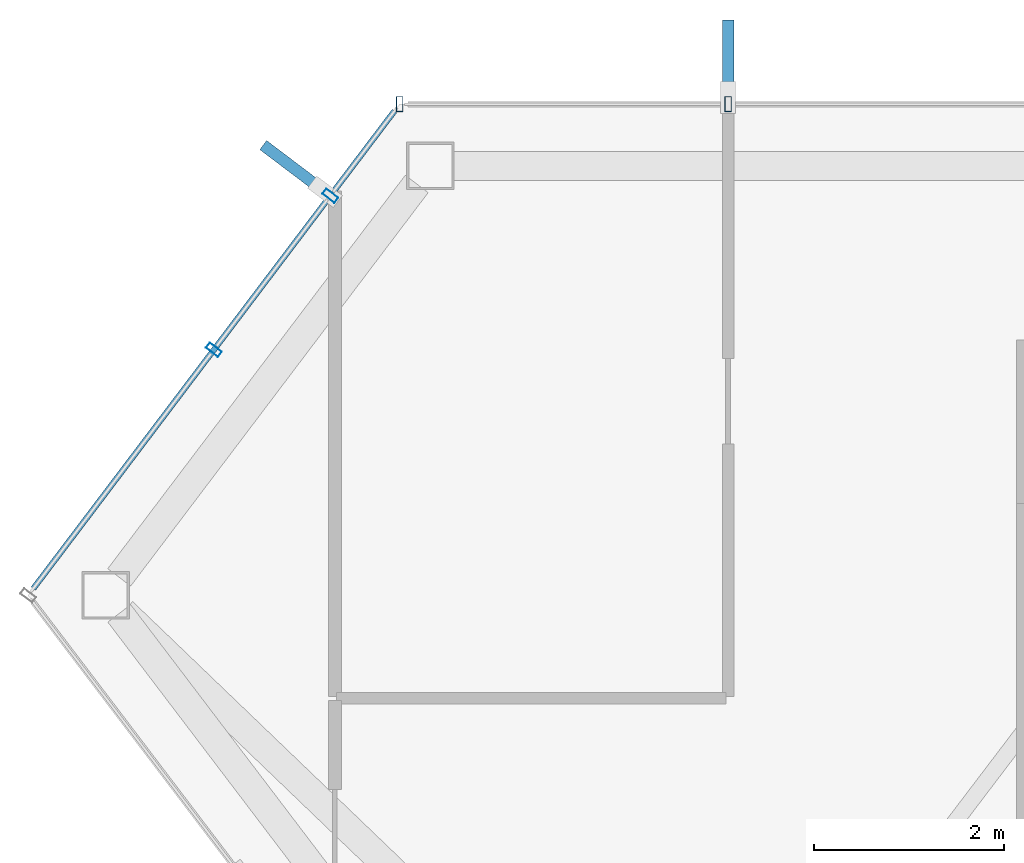
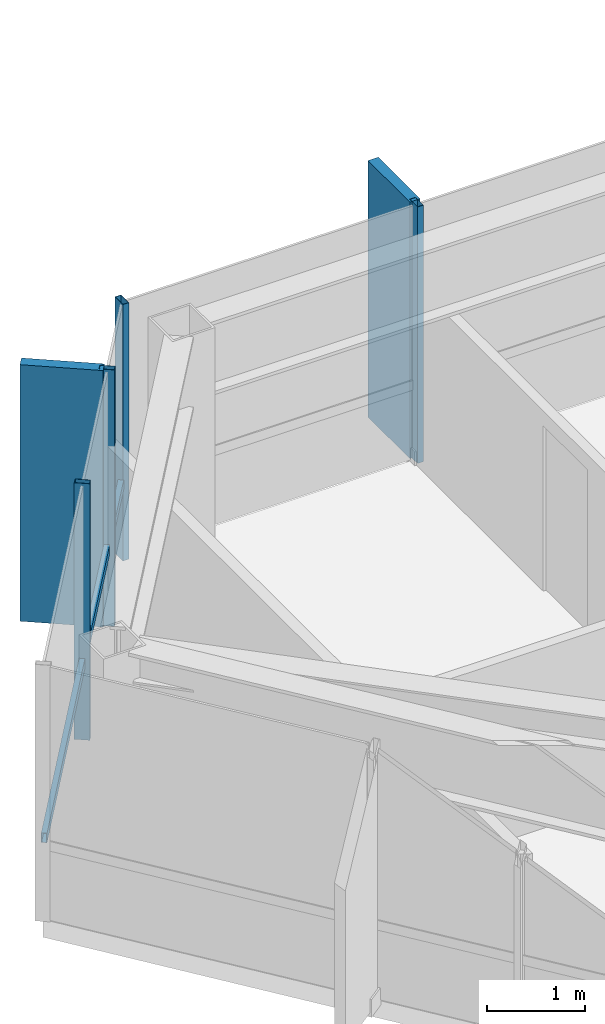
# One storey, part 10 of 24: 7 members, 2 elements without a shape of their own.
"""IFC4 building model written with IfcOpenShell, lengths in metres."""

from ifc_helpers import new_model, si_unit, direction, frame, origin, origin_2d, place, context, subcontext, project, spatial, rectangle, hollow_rectangle, extrude, material, layer, layer_set, material_profile, profile_set, type_object, element, aggregate, save


model = new_model("IFC4")

# Units and contexts
model_context = context("Model", 3, precision=1e-05, world=origin(), true_north=direction((0.0, 1.0)))
body_context = subcontext(model_context, "Body", "Model", "MODEL_VIEW")
ifc_project = project(units=[si_unit("LENGTHUNIT", "METRE"), si_unit("AREAUNIT", "SQUARE_METRE"), si_unit("VOLUMEUNIT", "CUBIC_METRE"), si_unit("PLANEANGLEUNIT", "RADIAN"), si_unit("MASSUNIT", "GRAM", prefix="KILO")], contexts=[model_context])

# Site, building, storey
site_placement = place(None, origin())
site = spatial("IfcSite", under=ifc_project, at=site_placement, CompositionType="ELEMENT")
building_placement = place(site_placement, origin())
building = spatial("IfcBuilding", under=site, at=building_placement, Name="Zarrinselat Tower", CompositionType="ELEMENT")
storey_placement = place(building_placement, frame((0.0, 0.0, 272.0)))
storey = spatial("IfcBuildingStorey", under=building, at=storey_placement, Name="L69", CompositionType="ELEMENT", Elevation=272.0)

# Curtain wall, members
ifc_material_1 = material(Name="Extruded Aluminium Alloy EN AW-6063 T6", Category="aluminium")
ifc_layer = layer(ifc_material_1, 0.169921875)
ifc_layer_set = layer_set([ifc_layer], Name="Extruded Aluminium Alloy EN AW-6063 T6")
curtain_wall_type = type_object("IfcCurtainWallType", Name="CWS-RES", PredefinedType="NOTDEFINED", material=ifc_layer_set)
curtain_wall_1_placement = place(storey_placement, origin())
curtain_wall_1 = element("IfcCurtainWall", 1, at=curtain_wall_1_placement, inside=storey, type_object=curtain_wall_type, Name="L69 Unitised Curtain Wall CW-L69-E01", PredefinedType="NOTDEFINED")
ifc_material_2 = material(Name="Extruded Aluminium Alloy EN AW-6063 T6", Category="aluminium")
ifc_material_profile_1 = material_profile(ifc_material_2, hollow_rectangle(XDim=0.070068359375, YDim=0.159912109375, WallThickness=0.00390625, at=origin_2d()), Name="RHS 160x70x4")
ifc_profile_set_1 = profile_set([ifc_material_profile_1], Name="Extruded Aluminium Alloy EN AW-6063 T6")
member_type_1 = type_object("IfcMemberType", Name="MEM-CW-MUL2", PredefinedType="MULLION", material=ifc_profile_set_1)
member_1_placement = place(storey_placement, frame((23.439208984375, 47.75, 0.0), z_axis=(0.0, 0.0, 1.0), x_axis=(-1.0, 0.0, 0.0)))
member_1 = element("IfcMember", 2, at=member_1_placement, type_object=member_type_1, Name="CW-L69-E01 Mullion 11", PredefinedType="MULLION", context=body_context, shape_type="SweptSolid", body=[
    extrude(hollow_rectangle(XDim=0.070068359375, YDim=0.159912109375, WallThickness=0.00390625, at=origin_2d()), origin(), (0.0, 0.0, 1.0), 3.179931640625),
])
member_2_placement = place(storey_placement, frame((19.98388671875, 47.75, 0.0), z_axis=(0.0, 0.0, 1.0), x_axis=(-1.0, 0.0, 0.0)))
member_2 = element("IfcMember", 3, at=member_2_placement, type_object=member_type_1, Name="CW-L69-E01 Mullion 12", PredefinedType="MULLION", context=body_context, shape_type="SweptSolid", body=[
    extrude(hollow_rectangle(XDim=0.070068359375, YDim=0.159912109375, WallThickness=0.00390625, at=origin_2d()), origin(), (0.0, 0.0, 1.0), 3.179931640625),
])

curtain_wall_2_placement = place(storey_placement, origin())
curtain_wall_2 = element("IfcCurtainWall", 4, at=curtain_wall_2_placement, inside=storey, type_object=curtain_wall_type, Name="L69 Unitised Curtain Wall CW-L69-E02", PredefinedType="NOTDEFINED")
member_3_placement = place(storey_placement, frame((19.25439453125, 46.78564453125, 0.0), z_axis=(0.0, 0.0, 1.0), x_axis=(-0.603180355329, -0.797604826305, 0.0)))
member_3 = element("IfcMember", 5, at=member_3_placement, type_object=member_type_1, Name="CW-L69-E02 Mullion 1", PredefinedType="MULLION", context=body_context, shape_type="SweptSolid", body=[
    extrude(hollow_rectangle(XDim=0.070068359375, YDim=0.159912109375, WallThickness=0.00390625, at=origin_2d()), origin(), (0.0, 0.0, 1.0), 3.179931640625),
])
member_4_placement = place(storey_placement, frame((18.029296875, 45.165771484375, 0.0), z_axis=(0.0, 0.0, 1.0), x_axis=(-0.603180355329, -0.797604826305, 0.0)))
member_4 = element("IfcMember", 6, at=member_4_placement, type_object=member_type_1, Name="CW-L69-E02 Mullion 2", PredefinedType="MULLION", context=body_context, shape_type="SweptSolid", body=[
    extrude(hollow_rectangle(XDim=0.070068359375, YDim=0.159912109375, WallThickness=0.00390625, at=origin_2d()), origin(), (0.0, 0.0, 1.0), 3.179931640625),
])
ifc_material_3 = material(Name="Extruded Aluminium Alloy EN AW-6063 T6", Category="aluminium")
ifc_material_profile_2 = material_profile(ifc_material_3, hollow_rectangle(XDim=0.06005859375, YDim=0.1201171875, WallThickness=0.00390625, at=origin_2d()), Name="RHS 120x60x4")
ifc_profile_set_2 = profile_set([ifc_material_profile_2], Name="Extruded Aluminium Alloy EN AW-6063 T6")
member_type_2 = type_object("IfcMemberType", Name="MEM-CW-TRN2", PredefinedType="USERDEFINED", material=ifc_profile_set_2)
member_5_placement = place(storey_placement, frame((19.929443359375, 47.67822265625, 0.949951171875), z_axis=(-0.603182242271, -0.797603399321, 0.0), x_axis=(0.797603399321, -0.603182242271, 0.0)))
member_5 = element("IfcMember", 7, at=member_5_placement, type_object=member_type_2, Name="CW-L69-E02 Transom 1", ObjectType="TRANSOM", PredefinedType="USERDEFINED", context=body_context, shape_type="SweptSolid", body=[
    extrude(hollow_rectangle(XDim=0.06005859375, YDim=0.1201171875, WallThickness=0.00390625, at=origin_2d()), origin(), (0.0, 0.0, 1.0), 6.300048828125),
])

# Member
ifc_material_4 = material(Name="Honed Cream Travertine Stone", Category="masonry")
ifc_material_profile_3 = material_profile(ifc_material_4, rectangle(XDim=0.1201171875, YDim=0.85009765625, at=origin_2d()), Name="FIN 850x120")
ifc_profile_set_3 = profile_set([ifc_material_profile_3], Name="Honed Cream Travertine Stone")
member_type_3 = type_object("IfcMemberType", Name="MEM-STONE-FIN", PredefinedType="USERDEFINED", material=ifc_profile_set_3)
member_6_placement = place(storey_placement, frame((23.439208984375, 48.2099609375, 0.0), z_axis=(0.0, 0.0, 1.0), x_axis=(1.0, 0.0, 0.0)))
member_6 = element("IfcMember", 8, at=member_6_placement, type_object=member_type_3, Name="L69 Stone Shading Fin CW-L69-E01-11", ObjectType="FIN", PredefinedType="USERDEFINED", context=body_context, shape_type="SweptSolid", body=[
    extrude(rectangle(XDim=0.1201171875, YDim=0.85009765625, at=origin_2d()), origin(), (0.0, 0.0, 1.0), 3.179931640625),
])

aggregate(curtain_wall_1, [member_1, member_6, member_2])

member_7_placement = place(storey_placement, frame((18.8876953125, 47.06298828125, 0.0), z_axis=(0.0, 0.0, 1.0), x_axis=(0.603180355329, 0.797604826305, 0.0)))
member_7 = element("IfcMember", 9, at=member_7_placement, type_object=member_type_3, Name="L69 Stone Shading Fin CW-L69-E02-01", ObjectType="FIN", PredefinedType="USERDEFINED", context=body_context, shape_type="SweptSolid", body=[
    extrude(rectangle(XDim=0.1201171875, YDim=0.85009765625, at=origin_2d()), origin(), (0.0, 0.0, 1.0), 3.179931640625),
])

aggregate(curtain_wall_2, [member_3, member_7, member_4, member_5])

save(model, "model.ifc")
